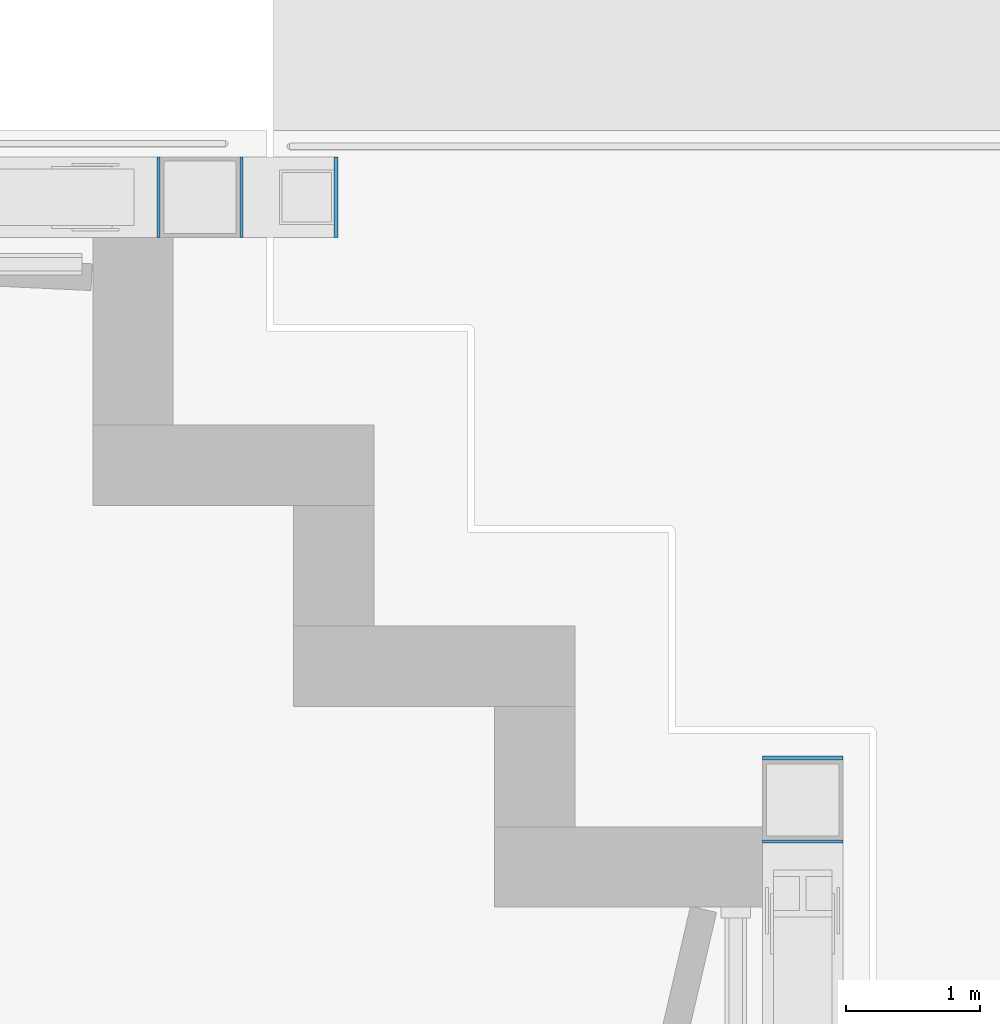
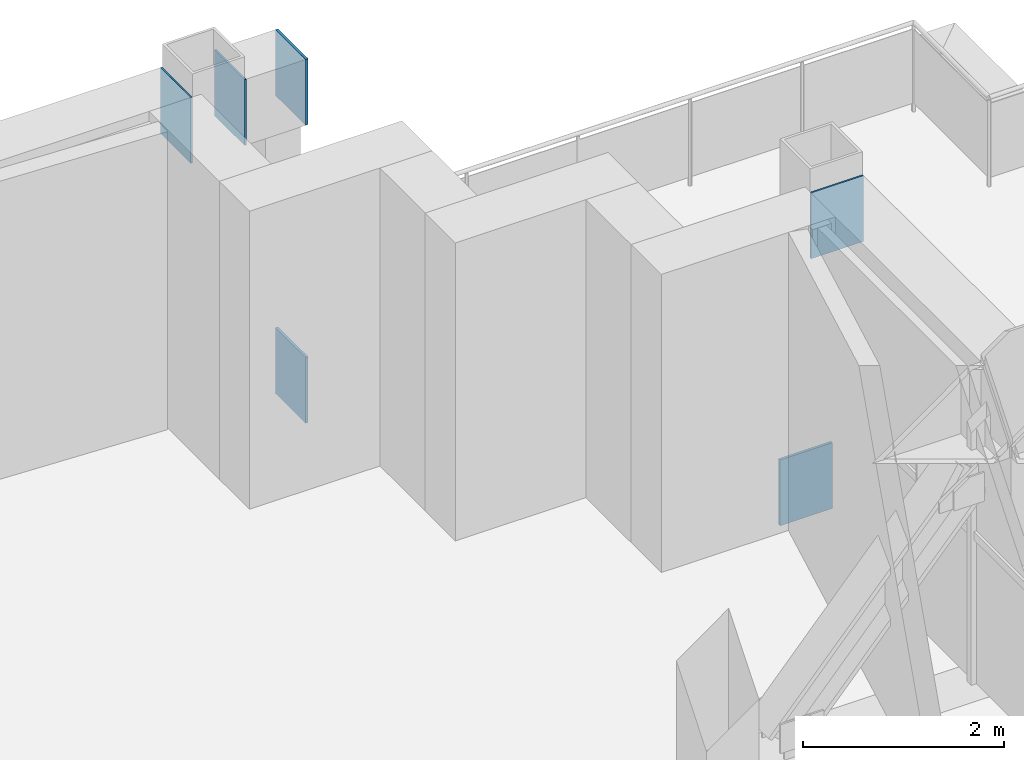
# One storey, part 13 of 21: 6 discrete accessories.
"""IFC4 building model written with IfcOpenShell, lengths in metres."""

from ifc_helpers import new_model, si_unit, direction, frame, origin, origin_2d, place, context, subcontext, project, spatial, rectangle, extrude, element, save


model = new_model("IFC4")

# Units and contexts
model_context = context("Model", 3, precision=1e-05, world=origin(), true_north=direction((0.0, 1.0)))
body_context = subcontext(model_context, "Body", "Model", "MODEL_VIEW")
ifc_project = project(units=[si_unit("LENGTHUNIT", "METRE"), si_unit("AREAUNIT", "SQUARE_METRE"), si_unit("VOLUMEUNIT", "CUBIC_METRE"), si_unit("PLANEANGLEUNIT", "RADIAN"), si_unit("MASSUNIT", "GRAM", prefix="KILO")], contexts=[model_context])

# Site, building, storey
site_placement = place(None, origin())
site = spatial("IfcSite", under=ifc_project, at=site_placement, CompositionType="ELEMENT")
building_placement = place(site_placement, origin())
building = spatial("IfcBuilding", under=site, at=building_placement, Name="Vidyagriha Tower", CompositionType="ELEMENT")
storey_placement = place(building_placement, frame((0.0, 0.0, 203.699951171875)))
storey = spatial("IfcBuildingStorey", under=building, at=storey_placement, Name="L52", CompositionType="ELEMENT", Elevation=203.699951171875)

# Discrete accessories
for number, where, name in (
    (1, (26.014892578125, 19.5, -0.7998046875), "Chord end plate"),
    (2, (26.014892578125, 19.5, 2.81982421875), "Chord end plate"),
):
    element("IfcDiscreteAccessory", number, at=place(storey_placement, frame(where)), inside=storey, Name=name, ObjectType="END PLATE", PredefinedType="USERDEFINED", context=body_context, shape_type="SweptSolid", body=[
        extrude(rectangle(XDim=0.030029296875, YDim=0.60009765625, at=origin_2d()), origin(), (0.0, 0.0, 1.0), 0.800048828125),
    ])
discrete_accessory_1_placement = place(storey_placement, frame((29.5, 15.31494140625, -0.7998046875), z_axis=(0.0, 0.0, 1.0), x_axis=(0.0, 1.0, 0.0)))
element("IfcDiscreteAccessory", 3, at=discrete_accessory_1_placement, inside=storey, Name="Chord end plate", ObjectType="END PLATE", PredefinedType="USERDEFINED", context=body_context, shape_type="SweptSolid", body=[
    extrude(rectangle(XDim=0.030029296875, YDim=0.60009765625, at=origin_2d()), origin(), (0.0, 0.0, 1.0), 0.800048828125),
])
discrete_accessory_2_placement = place(storey_placement, frame((24.690185546875, 19.5, 2.81982421875)))
element("IfcDiscreteAccessory", 4, at=discrete_accessory_2_placement, inside=storey, Name="End plate ASTM A572 Grade 50 20mm", ObjectType="END PLATE", PredefinedType="USERDEFINED", context=body_context, shape_type="SweptSolid", body=[
    extrude(rectangle(XDim=0.02001953125, YDim=0.60009765625, at=origin_2d()), origin(), (0.0, 0.0, 1.0), 0.800048828125),
])
for number, where, z_axis, x_axis, name in (
    (5, (25.309814453125, 19.5, 2.81982421875), (0.0, 0.0, 1.0), (-1.0, 0.0, 0.0), "End plate ASTM A572 Grade 50 20mm"),
    (6, (29.5, 14.690185546875, 2.81982421875), (0.0, 0.0, 1.0), (0.0, 1.0, 0.0), "End plate ASTM A572 Grade 50 20mm"),
):
    element("IfcDiscreteAccessory", number, at=place(storey_placement, frame(where, z_axis=z_axis, x_axis=x_axis)), inside=storey, Name=name, ObjectType="END PLATE", PredefinedType="USERDEFINED", context=body_context, shape_type="SweptSolid", body=[
        extrude(rectangle(XDim=0.02001953125, YDim=0.60009765625, at=origin_2d()), origin(), (0.0, 0.0, 1.0), 0.800048828125),
    ])

save(model, "model.ifc")
